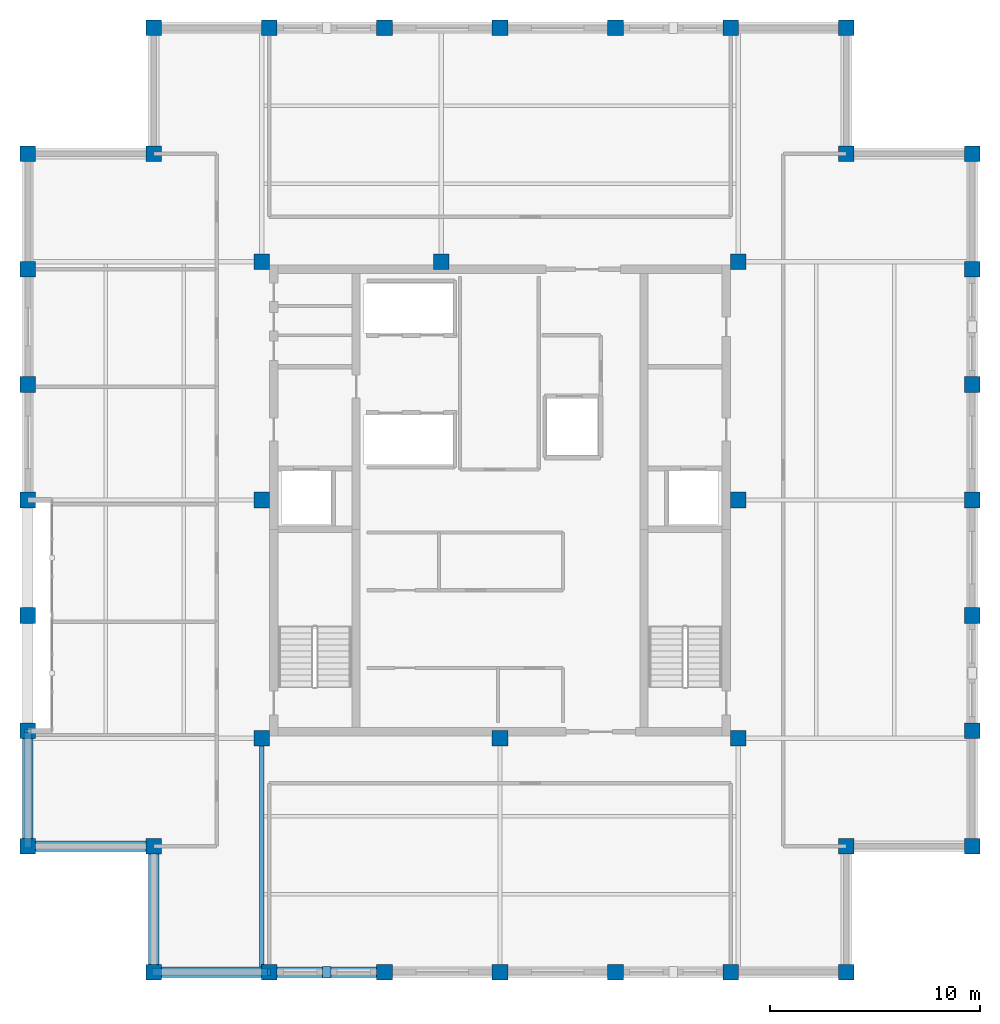
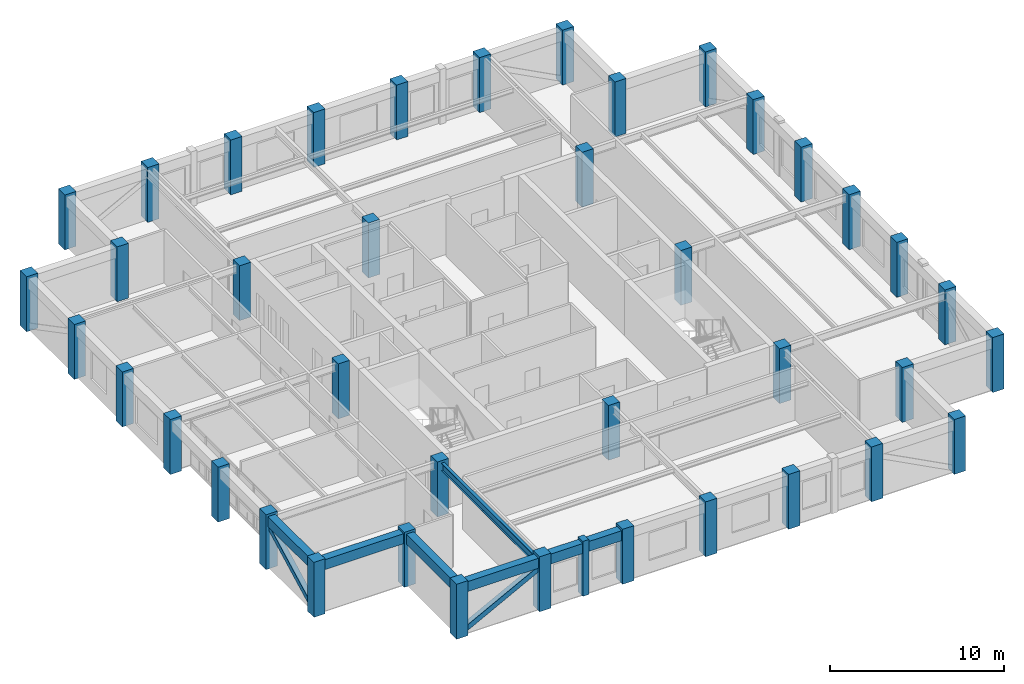
# One storey, part 1 of 10: 40 columns, 6 beams, 3 members.
"""IFC4 building model written with IfcOpenShell, lengths in metres."""

from ifc_helpers import new_model, si_unit, direction, frame, origin, origin_2d, place, context, subcontext, project, spatial, rectangle, hollow_rectangle, i_section, extrude, material, material_profile, profile_set, type_object, element, save


model = new_model("IFC4")

# Units and contexts
model_context = context("Model", 3, precision=1e-05, world=origin(), true_north=direction((0.0, 1.0)))
body_context = subcontext(model_context, "Body", "Model", "MODEL_VIEW")
ifc_project = project(units=[si_unit("LENGTHUNIT", "METRE"), si_unit("AREAUNIT", "SQUARE_METRE"), si_unit("VOLUMEUNIT", "CUBIC_METRE"), si_unit("PLANEANGLEUNIT", "RADIAN"), si_unit("MASSUNIT", "GRAM", prefix="KILO")], contexts=[model_context])

# Site, building, storey
site_placement = place(None, origin())
site = spatial("IfcSite", under=ifc_project, at=site_placement, CompositionType="ELEMENT")
building_placement = place(site_placement, origin())
building = spatial("IfcBuilding", under=site, at=building_placement, Name="Nhamokura Convention Tower", CompositionType="ELEMENT")
storey_placement = place(building_placement, frame((0.0, 0.0, 296.800048828125)))
storey = spatial("IfcBuildingStorey", under=building, at=storey_placement, Name="L73", CompositionType="ELEMENT", Elevation=296.800048828125)

# Columns
ifc_material_1 = material(Name="Concrete C50/60", Category="concrete")
ifc_material_profile_1 = material_profile(ifc_material_1, rectangle(XDim=0.75, YDim=0.75, at=origin_2d()))
ifc_profile_set_1 = profile_set([ifc_material_profile_1], Name="Concrete C50/60")
column_type = type_object("IfcColumnType", Name="TubeColumn_Z4_750", PredefinedType="COLUMN", material=ifc_profile_set_1)
for number, where, z_axis, x_axis, name in (
    (1, (20.64990234375, 20.64990234375, 0.0), (0.0, 0.0, 1.0), (1.0, 0.0, 0.0), "L73 Core Column CC-SW"),
    (2, (32.0, 20.64990234375, 0.0), (0.0, 0.0, 1.0), (1.0, 0.0, 0.0), "L73 Core Column CC-S"),
    (3, (43.35009765625, 20.64990234375, 0.0), (0.0, 0.0, 1.0), (1.0, 0.0, 0.0), "L73 Core Column CC-SE"),
    (4, (43.35009765625, 32.0, 0.0), (0.0, 0.0, 1.0), (1.0, 0.0, 0.0), "L73 Core Column CC-E"),
    (5, (43.35009765625, 43.35009765625, 0.0), (0.0, 0.0, 1.0), (1.0, 0.0, 0.0), "L73 Core Column CC-NE"),
    (6, (29.199951171875, 43.35009765625, 0.0), (0.0, 0.0, 1.0), (1.0, 0.0, 0.0), "L73 Core Column CC-N"),
    (7, (20.64990234375, 43.35009765625, 0.0), (0.0, 0.0, 1.0), (1.0, 0.0, 0.0), "L73 Core Column CC-NW"),
    (8, (20.64990234375, 32.0, 0.0), (0.0, 0.0, 1.0), (1.0, 0.0, 0.0), "L73 Core Column CC-W"),
    (9, (15.5, 9.5, 0.0), (0.0, 0.0, 1.0), (1.0, 0.0, 0.0), "L73 Perimeter Tube Column SW1"),
    (10, (15.5, 15.5, 0.0), (0.0, 0.0, 1.0), (1.0, 0.0, 0.0), "L73 Perimeter Tube Column SW0"),
    (11, (9.5, 15.5, 0.0), (0.0, 0.0, 1.0), (1.0, 0.0, 0.0), "L73 Perimeter Tube Column SW2"),
    (12, (48.5, 9.5, 0.0), (0.0, 0.0, 1.0), (1.0, 0.0, 0.0), "L73 Perimeter Tube Column SE1"),
    (13, (48.5, 15.5, 0.0), (0.0, 0.0, 1.0), (1.0, 0.0, 0.0), "L73 Perimeter Tube Column SE0"),
    (14, (54.5, 15.5, 0.0), (0.0, 0.0, 1.0), (1.0, 0.0, 0.0), "L73 Perimeter Tube Column SE2"),
    (15, (54.5, 48.5, 0.0), (0.0, 0.0, 1.0), (1.0, 0.0, 0.0), "L73 Perimeter Tube Column NE1"),
    (16, (48.5, 48.5, 0.0), (0.0, 0.0, 1.0), (1.0, 0.0, 0.0), "L73 Perimeter Tube Column NE0"),
    (17, (48.5, 54.5, 0.0), (0.0, 0.0, 1.0), (1.0, 0.0, 0.0), "L73 Perimeter Tube Column NE2"),
    (18, (15.5, 54.5, 0.0), (0.0, 0.0, 1.0), (1.0, 0.0, 0.0), "L73 Perimeter Tube Column NW1"),
    (19, (15.5, 48.5, 0.0), (0.0, 0.0, 1.0), (1.0, 0.0, 0.0), "L73 Perimeter Tube Column NW0"),
    (20, (9.5, 48.5, 0.0), (0.0, 0.0, 1.0), (1.0, 0.0, 0.0), "L73 Perimeter Tube Column NW2"),
    (21, (21.0, 9.5, 0.0), (0.0, 0.0, 1.0), (1.0, 0.0, 0.0), "L73 Perimeter Tube Column S1"),
    (22, (21.0, 54.5, 0.0), (0.0, 0.0, 1.0), (1.0, 0.0, 0.0), "L73 Perimeter Tube Column N1"),
    (23, (9.5, 21.0, 0.0), (0.0, 0.0, 1.0), (1.0, 0.0, 0.0), "L73 Perimeter Tube Column W1"),
    (24, (54.5, 21.0, 0.0), (0.0, 0.0, 1.0), (1.0, 0.0, 0.0), "L73 Perimeter Tube Column E1"),
    (25, (26.5, 9.5, 0.0), (0.0, 0.0, 1.0), (1.0, 0.0, 0.0), "L73 Perimeter Tube Column S2"),
    (26, (26.5, 54.5, 0.0), (0.0, 0.0, 1.0), (1.0, 0.0, 0.0), "L73 Perimeter Tube Column N2"),
    (27, (9.5, 26.5, 0.0), (0.0, 0.0, 1.0), (1.0, 0.0, 0.0), "L73 Perimeter Tube Column W2"),
    (28, (54.5, 26.5, 0.0), (0.0, 0.0, 1.0), (1.0, 0.0, 0.0), "L73 Perimeter Tube Column E2"),
    (29, (32.0, 9.5, 0.0), (0.0, 0.0, 1.0), (1.0, 0.0, 0.0), "L73 Perimeter Tube Column S3"),
    (30, (32.0, 54.5, 0.0), (0.0, 0.0, 1.0), (1.0, 0.0, 0.0), "L73 Perimeter Tube Column N3"),
    (31, (9.5, 32.0, 0.0), (0.0, 0.0, 1.0), (1.0, 0.0, 0.0), "L73 Perimeter Tube Column W3"),
    (32, (54.5, 32.0, 0.0), (0.0, 0.0, 1.0), (1.0, 0.0, 0.0), "L73 Perimeter Tube Column E3"),
    (33, (37.5, 9.5, 0.0), (0.0, 0.0, 1.0), (1.0, 0.0, 0.0), "L73 Perimeter Tube Column S4"),
    (34, (37.5, 54.5, 0.0), (0.0, 0.0, 1.0), (1.0, 0.0, 0.0), "L73 Perimeter Tube Column N4"),
    (35, (9.5, 37.5, 0.0), (0.0, 0.0, 1.0), (1.0, 0.0, 0.0), "L73 Perimeter Tube Column W4"),
    (36, (54.5, 37.5, 0.0), (0.0, 0.0, 1.0), (1.0, 0.0, 0.0), "L73 Perimeter Tube Column E4"),
    (37, (43.0, 9.5, 0.0), (0.0, 0.0, 1.0), (1.0, 0.0, 0.0), "L73 Perimeter Tube Column S5"),
    (38, (43.0, 54.5, 0.0), (0.0, 0.0, 1.0), (1.0, 0.0, 0.0), "L73 Perimeter Tube Column N5"),
    (39, (9.5, 43.0, 0.0), (0.0, 0.0, 1.0), (1.0, 0.0, 0.0), "L73 Perimeter Tube Column W5"),
    (40, (54.5, 43.0, 0.0), (0.0, 0.0, 1.0), (1.0, 0.0, 0.0), "L73 Perimeter Tube Column E5"),
):
    element("IfcColumn", number, at=place(storey_placement, frame(where, z_axis=z_axis, x_axis=x_axis)), inside=storey, type_object=column_type, Name=name, PredefinedType="COLUMN", context=body_context, shape_type="SweptSolid", body=[
        extrude(rectangle(XDim=0.75, YDim=0.75, at=origin_2d()), origin(), (0.0, 0.0, 1.0), 3.849853515625),
    ])

# Member
ifc_material_2 = material(Name="Bronze-pigmented precast concrete C45/55", Category="concrete")
ifc_material_profile_2 = material_profile(ifc_material_2, rectangle(XDim=0.39990234375, YDim=0.550048828125, at=origin_2d()))
ifc_profile_set_2 = profile_set([ifc_material_profile_2], Name="Bronze-pigmented precast concrete C45/55")
member_type_1 = type_object("IfcMemberType", Name="BronzePilaster_550", PredefinedType="USERDEFINED", material=ifc_profile_set_2)
member_placement = place(storey_placement, frame((23.75, 9.5, 0.0), z_axis=(0.0, 0.0, 1.0), x_axis=(1.0, 0.0, 0.0)))
element("IfcMember", 41, at=member_placement, inside=storey, type_object=member_type_1, Name="L73 Engaged Frame Pilaster SOUTH 1", ObjectType="PILASTER_TRIM", PredefinedType="USERDEFINED", context=body_context, shape_type="SweptSolid", body=[
    extrude(rectangle(XDim=0.39990234375, YDim=0.550048828125, at=origin_2d()), origin(), (0.0, 0.0, 1.0), 3.849853515625),
])

# Beam
ifc_material_3 = material(Name="Steel ASTM A992 Gr 50", Category="steel")
ifc_material_profile_3 = material_profile(ifc_material_3, i_section(OverallWidth=0.208984375, OverallDepth=0.532958984375, WebThickness=0.01025390625, FlangeThickness=0.015625, at=origin_2d()))
ifc_profile_set_3 = profile_set([ifc_material_profile_3], Name="Steel ASTM A992 Gr 50")
beam_type_1 = type_object("IfcBeamType", Name="PrimaryGirder_W530X92", PredefinedType="BEAM", material=ifc_profile_set_3)
beam_placement = place(storey_placement, frame((20.64990234375, 9.5, 3.41845703125), z_axis=(0.0, 1.0, 0.0), x_axis=(-1.0, 0.0, 0.0)))
element("IfcBeam", 42, at=beam_placement, inside=storey, type_object=beam_type_1, Name="L73 Primary Floor Girder PG-S1", PredefinedType="BEAM", context=body_context, shape_type="SweptSolid", body=[
    extrude(i_section(OverallWidth=0.208984375, OverallDepth=0.532958984375, WebThickness=0.01025390625, FlangeThickness=0.015625, at=origin_2d()), origin(), (0.0, 0.0, 1.0), 11.14990234375),
])

# Members
ifc_material_4 = material(Name="Steel ASTM A572 Gr 50", Category="steel")
ifc_material_profile_4 = material_profile(ifc_material_4, hollow_rectangle(XDim=0.35009765625, YDim=0.35009765625, WallThickness=0.01611328125, at=origin_2d()))
ifc_profile_set_4 = profile_set([ifc_material_profile_4], Name="Steel ASTM A572 Gr 50")
member_type_2 = type_object("IfcMemberType", Name="TubeBrace_HSS350", PredefinedType="BRACE", material=ifc_profile_set_4)
for number, where, z_axis, x_axis, name in (
    (43, (15.5, 9.5, 0.14990234375), (0.885562865764, 0.0, 0.464519548328), (0.0, 1.0, 0.0), "L73 Perimeter Tube Brace SOUTH Bay 0"),
    (44, (9.5, 15.5, 0.14990234375), (0.0, 0.885562865764, 0.464519548328), (-1.0, 0.0, 0.0), "L73 Perimeter Tube Brace WEST Bay 0"),
):
    element("IfcMember", number, at=place(storey_placement, frame(where, z_axis=z_axis, x_axis=x_axis)), inside=storey, type_object=member_type_2, Name=name, PredefinedType="BRACE", context=body_context, shape_type="SweptSolid", body=[
        extrude(hollow_rectangle(XDim=0.35009765625, YDim=0.35009765625, WallThickness=0.01611328125, at=origin_2d()), origin(), (0.0, 0.0, 1.0), 6.210693359375),
    ])

# Beams
ifc_material_5 = material(Name="Concrete C50/60", Category="concrete")
ifc_material_profile_5 = material_profile(ifc_material_5, rectangle(XDim=0.5, YDim=0.699951171875, at=origin_2d()))
ifc_profile_set_5 = profile_set([ifc_material_profile_5], Name="Concrete C50/60")
beam_type_2 = type_object("IfcBeamType", Name="TubeSpandrel_700", PredefinedType="SPANDREL", material=ifc_profile_set_5)
for number, where, z_axis, x_axis, name in (
    (45, (15.5, 9.5, 3.3349609375), (1.0, 0.0, 0.0), (0.0, 1.0, 0.0), "L73 Perimeter Spandrel SOUTH 1"),
    (46, (21.0, 9.5, 3.3349609375), (1.0, 0.0, 0.0), (0.0, 1.0, 0.0), "L73 Perimeter Spandrel SOUTH 2"),
    (47, (9.5, 15.5, 3.3349609375), (0.0, 1.0, 0.0), (-1.0, 0.0, 0.0), "L73 Perimeter Spandrel WEST 1"),
):
    element("IfcBeam", number, at=place(storey_placement, frame(where, z_axis=z_axis, x_axis=x_axis)), inside=storey, type_object=beam_type_2, Name=name, PredefinedType="SPANDREL", context=body_context, shape_type="SweptSolid", body=[
        extrude(rectangle(XDim=0.5, YDim=0.699951171875, at=origin_2d()), origin(), (0.0, 0.0, 1.0), 5.5),
    ])
for number, where, z_axis, x_axis, name in (
    (48, (15.5, 9.5, 3.3349609375), (0.0, 1.0, 0.0), (-1.0, 0.0, 0.0), "L73 Notch Spandrel SW1"),
    (49, (15.5, 15.5, 3.3349609375), (-1.0, 0.0, 0.0), (0.0, -1.0, 0.0), "L73 Notch Spandrel SW2"),
):
    element("IfcBeam", number, at=place(storey_placement, frame(where, z_axis=z_axis, x_axis=x_axis)), inside=storey, type_object=beam_type_2, Name=name, PredefinedType="SPANDREL", context=body_context, shape_type="SweptSolid", body=[
        extrude(rectangle(XDim=0.5, YDim=0.699951171875, at=origin_2d()), origin(), (0.0, 0.0, 1.0), 6.0),
    ])

save(model, "model.ifc")
